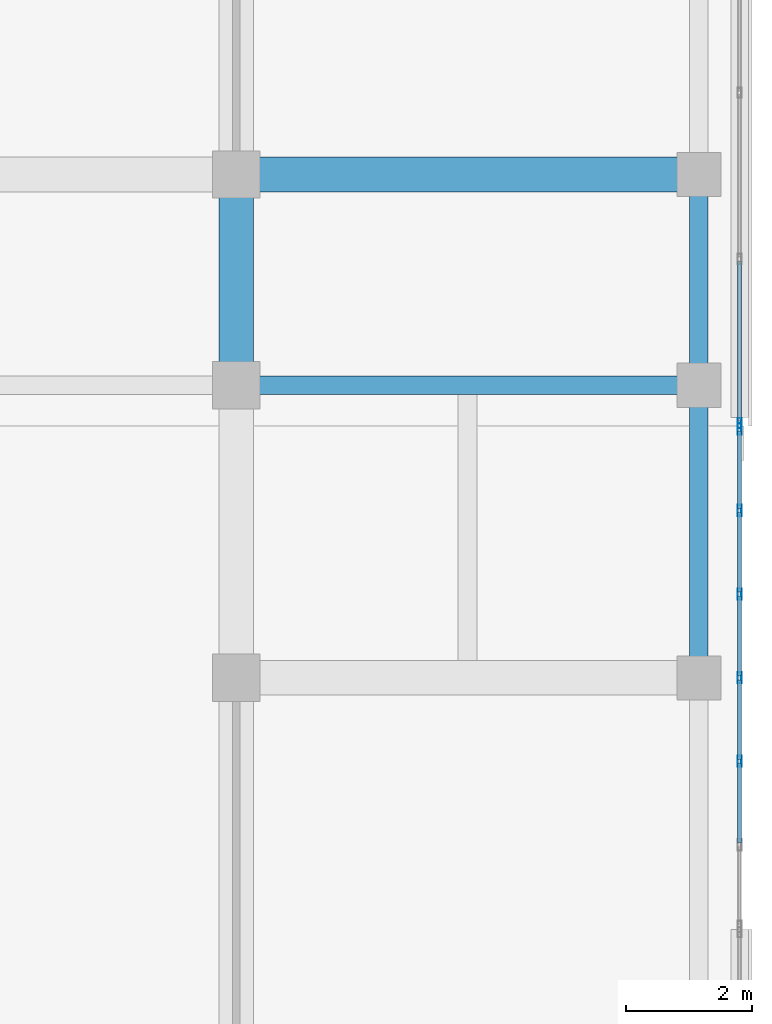
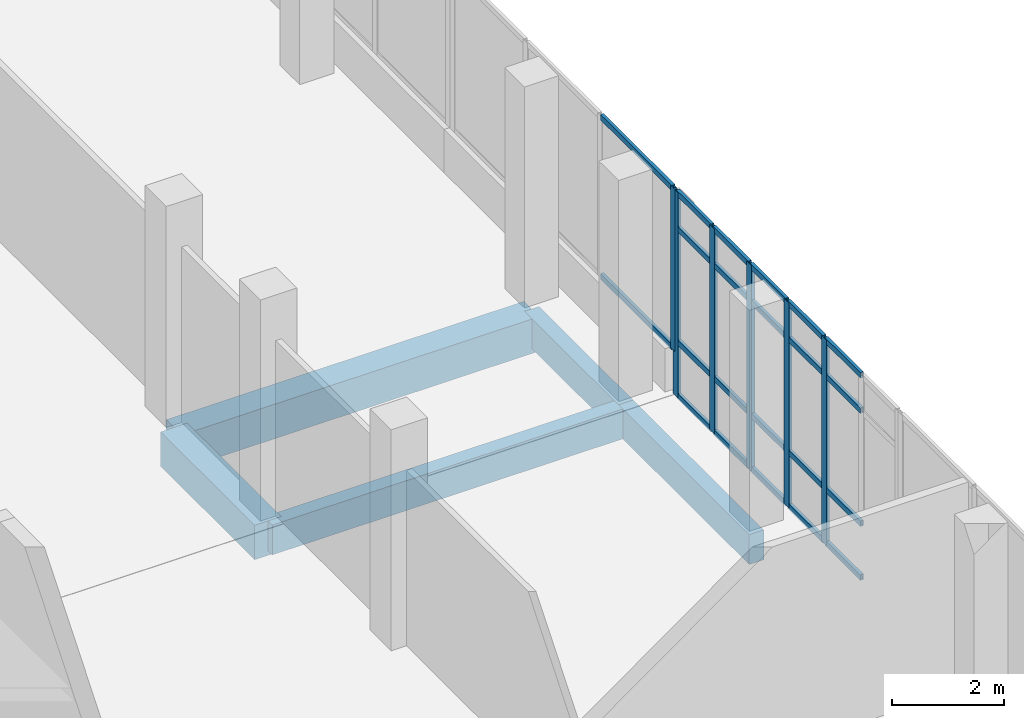
# One storey, part 104 of 155: 28 members, 5 beams, 2 elements without a shape of their own.
"""IFC4 building model written with IfcOpenShell, lengths in metres."""

from ifc_helpers import new_model, si_unit, direction, frame, origin, origin_2d, place, context, subcontext, project, spatial, rectangle, hollow_rectangle, extrude, material, material_profile, profile_set, type_object, element, aggregate, save


model = new_model("IFC4")

# Units and contexts
model_context = context("Model", 3, precision=1e-05, world=origin(), true_north=direction((0.0, 1.0)))
body_context = subcontext(model_context, "Body", "Model", "MODEL_VIEW")
ifc_project = project(units=[si_unit("LENGTHUNIT", "METRE"), si_unit("AREAUNIT", "SQUARE_METRE"), si_unit("VOLUMEUNIT", "CUBIC_METRE"), si_unit("PLANEANGLEUNIT", "RADIAN"), si_unit("MASSUNIT", "GRAM", prefix="KILO")], contexts=[model_context])

# Site, building, storey
site_placement = place(None, origin())
site = spatial("IfcSite", under=ifc_project, at=site_placement, CompositionType="ELEMENT")
building_placement = place(site_placement, origin())
building = spatial("IfcBuilding", under=site, at=building_placement, Name="Selatvlak General Hospital", CompositionType="ELEMENT")
storey_placement = place(building_placement, frame((0.0, 0.0, 10.199951171875)))
storey = spatial("IfcBuildingStorey", under=building, at=storey_placement, Name="L02", CompositionType="ELEMENT", Elevation=10.199951171875)

# Beams
ifc_material_1 = material(Name="Concrete C40/50", Category="concrete")
ifc_material_profile_1 = material_profile(ifc_material_1, rectangle(XDim=0.550048828125, YDim=0.75, at=origin_2d()), Name="RC-BM 550x750")
ifc_profile_set_1 = profile_set([ifc_material_profile_1], Name="Concrete C40/50")
beam_type_1 = type_object("IfcBeamType", Name="BM-G02", PredefinedType="BEAM", material=ifc_profile_set_1)
beam_1_placement = place(storey_placement, frame((174.0, 92.0, -0.72998046875), z_axis=(1.0, 0.0, 0.0), x_axis=(0.0, 1.0, 0.0)))
element("IfcBeam", 1, at=beam_1_placement, inside=storey, type_object=beam_type_1, Name="Beam BMR-L02-0855", PredefinedType="BEAM", context=body_context, shape_type="SweptSolid", body=[
    extrude(rectangle(XDim=0.550048828125, YDim=0.75, at=origin_2d()), origin(), (0.0, 0.0, 1.0), 7.35009765625),
])
beam_2_placement = place(storey_placement, frame((174.0, 88.64990234375, -0.72998046875), z_axis=(0.0, 1.0, 0.0), x_axis=(-1.0, 0.0, 0.0)))
element("IfcBeam", 2, at=beam_2_placement, inside=storey, type_object=beam_type_1, Name="Beam BMR-L02-1066", PredefinedType="BEAM", context=body_context, shape_type="SweptSolid", body=[
    extrude(rectangle(XDim=0.550048828125, YDim=0.75, at=origin_2d()), origin(), (0.0, 0.0, 1.0), 3.35009765625),
])
ifc_material_profile_2 = material_profile(ifc_material_1, rectangle(XDim=0.300048828125, YDim=0.64990234375, at=origin_2d()), Name="RC-SP 300x650")
ifc_profile_set_2 = profile_set([ifc_material_profile_2], Name="Concrete C40/50")
beam_type_2 = type_object("IfcBeamType", Name="BM-SP1", PredefinedType="SPANDREL", material=ifc_profile_set_2)
beam_3_placement = place(storey_placement, frame((174.0, 88.64990234375, -0.679931640625), z_axis=(1.0, 0.0, 0.0), x_axis=(0.0, 1.0, 0.0)))
element("IfcBeam", 3, at=beam_3_placement, inside=storey, type_object=beam_type_2, Name="Beam BMR-L02-0834", PredefinedType="SPANDREL", context=body_context, shape_type="SweptSolid", body=[
    extrude(rectangle(XDim=0.300048828125, YDim=0.64990234375, at=origin_2d()), origin(), (0.0, 0.0, 1.0), 7.35009765625),
])
beam_4_placement = place(storey_placement, frame((181.35009765625, 84.0, -0.679931640625), z_axis=(0.0, 1.0, 0.0), x_axis=(-1.0, 0.0, 0.0)))
element("IfcBeam", 4, at=beam_4_placement, inside=storey, type_object=beam_type_2, Name="Beam BMR-L02-1075", PredefinedType="SPANDREL", context=body_context, shape_type="SweptSolid", body=[
    extrude(rectangle(XDim=0.300048828125, YDim=0.64990234375, at=origin_2d()), origin(), (0.0, 0.0, 1.0), 4.64990234375),
])
beam_5_placement = place(storey_placement, frame((181.35009765625, 88.64990234375, -0.679931640625), z_axis=(0.0, 1.0, 0.0), x_axis=(-1.0, 0.0, 0.0)))
element("IfcBeam", 5, at=beam_5_placement, inside=storey, type_object=beam_type_2, Name="Beam BMR-L02-1076", PredefinedType="SPANDREL", context=body_context, shape_type="SweptSolid", body=[
    extrude(rectangle(XDim=0.300048828125, YDim=0.64990234375, at=origin_2d()), origin(), (0.0, 0.0, 1.0), 3.35009765625),
])

# Curtain wall, member
ifc_material_2 = material(Name="Solar-control Low-E double glazing", Category="glass")
curtain_wall_type_1 = type_object("IfcCurtainWallType", Name="CW-CW-01", PredefinedType="USERDEFINED", material=ifc_material_2)
curtain_wall_1_placement = place(storey_placement, origin())
curtain_wall_1 = element("IfcCurtainWall", 6, at=curtain_wall_1_placement, inside=storey, type_object=curtain_wall_type_1, Name="Glazed facade curtain wall CW-L02-0266", ObjectType="UNITISED CURTAIN WALL", PredefinedType="USERDEFINED")
ifc_material_3 = material(Name="Dark anodised aluminium mullion", Category="aluminium")
ifc_material_profile_3 = material_profile(ifc_material_3, hollow_rectangle(XDim=0.06494140625, YDim=0.159912109375, WallThickness=0.00390625, at=origin_2d()), Name="AL-MUL 65x160x4")
ifc_profile_set_3 = profile_set([ifc_material_profile_3], Name="Dark anodised aluminium mullion")
member_type_1 = type_object("IfcMemberType", Name="CWM-01", PredefinedType="MULLION", material=ifc_profile_set_3)
member_1_placement = place(storey_placement, frame((182.0, 88.048583984375, 0.93994140625), z_axis=(0.0, 0.0, 1.0), x_axis=(1.0, 0.0, 0.0)))
member_1 = element("IfcMember", 7, at=member_1_placement, type_object=member_type_1, Name="CW-01 mullion 4", PredefinedType="MULLION", context=body_context, shape_type="SweptSolid", body=[
    extrude(hollow_rectangle(XDim=0.06494140625, YDim=0.159912109375, WallThickness=0.00390625, at=origin_2d()), origin(), (0.0, 0.0, 1.0), 3.52001953125),
])

# Curtain wall, members
curtain_wall_type_2 = type_object("IfcCurtainWallType", Name="CW-CW-04", PredefinedType="USERDEFINED", material=ifc_material_2)
curtain_wall_2_placement = place(storey_placement, origin())
curtain_wall_2 = element("IfcCurtainWall", 8, at=curtain_wall_2_placement, inside=storey, type_object=curtain_wall_type_2, Name="Glazed facade curtain wall CW-L02-0267", ObjectType="STICK GLAZING WALL", PredefinedType="USERDEFINED")
ifc_material_profile_4 = material_profile(ifc_material_3, hollow_rectangle(XDim=0.06494140625, YDim=0.179931640625, WallThickness=0.00439453125, at=origin_2d()), Name="AL-MUL 65x180x4.5")
ifc_profile_set_4 = profile_set([ifc_material_profile_4], Name="Dark anodised aluminium mullion")
member_type_2 = type_object("IfcMemberType", Name="CWM-02", PredefinedType="MULLION", material=ifc_profile_set_4)
member_2_placement = place(storey_placement, frame((182.0, 87.95361328125, 0.0), z_axis=(0.0, 0.0, 1.0), x_axis=(1.0, 0.0, 0.0)))
member_2 = element("IfcMember", 9, at=member_2_placement, type_object=member_type_2, Name="CW-04 mullion 1", PredefinedType="MULLION", context=body_context, shape_type="SweptSolid", body=[
    extrude(hollow_rectangle(XDim=0.06494140625, YDim=0.179931640625, WallThickness=0.00439453125, at=origin_2d()), origin(), (0.0, 0.0, 1.0), 4.4599609375),
])
member_3_placement = place(storey_placement, frame((182.0, 86.65771484375, 0.0), z_axis=(0.0, 0.0, 1.0), x_axis=(1.0, 0.0, 0.0)))
member_3 = element("IfcMember", 10, at=member_3_placement, type_object=member_type_2, Name="CW-04 mullion 2", PredefinedType="MULLION", context=body_context, shape_type="SweptSolid", body=[
    extrude(hollow_rectangle(XDim=0.06494140625, YDim=0.179931640625, WallThickness=0.00439453125, at=origin_2d()), origin(), (0.0, 0.0, 1.0), 4.4599609375),
])
member_4_placement = place(storey_placement, frame((182.0, 85.329345703125, 0.0), z_axis=(0.0, 0.0, 1.0), x_axis=(1.0, 0.0, 0.0)))
member_4 = element("IfcMember", 11, at=member_4_placement, type_object=member_type_2, Name="CW-04 mullion 3", PredefinedType="MULLION", context=body_context, shape_type="SweptSolid", body=[
    extrude(hollow_rectangle(XDim=0.06494140625, YDim=0.179931640625, WallThickness=0.00439453125, at=origin_2d()), origin(), (0.0, 0.0, 1.0), 4.4599609375),
])
member_5_placement = place(storey_placement, frame((182.0, 84.0009765625, 0.0), z_axis=(0.0, 0.0, 1.0), x_axis=(1.0, 0.0, 0.0)))
member_5 = element("IfcMember", 12, at=member_5_placement, type_object=member_type_2, Name="CW-04 mullion 4", PredefinedType="MULLION", context=body_context, shape_type="SweptSolid", body=[
    extrude(hollow_rectangle(XDim=0.06494140625, YDim=0.179931640625, WallThickness=0.00439453125, at=origin_2d()), origin(), (0.0, 0.0, 1.0), 4.4599609375),
])
member_6_placement = place(storey_placement, frame((182.0, 82.672607421875, 0.0), z_axis=(0.0, 0.0, 1.0), x_axis=(1.0, 0.0, 0.0)))
member_6 = element("IfcMember", 13, at=member_6_placement, type_object=member_type_2, Name="CW-04 mullion 5", PredefinedType="MULLION", context=body_context, shape_type="SweptSolid", body=[
    extrude(hollow_rectangle(XDim=0.06494140625, YDim=0.179931640625, WallThickness=0.00439453125, at=origin_2d()), origin(), (0.0, 0.0, 1.0), 4.4599609375),
])

# Member
ifc_material_profile_5 = material_profile(ifc_material_3, hollow_rectangle(XDim=0.06494140625, YDim=0.1201171875, WallThickness=0.00390625, at=origin_2d()), Name="AL-TRN 65x120x4")
ifc_profile_set_5 = profile_set([ifc_material_profile_5], Name="Dark anodised aluminium mullion")
member_type_3 = type_object("IfcMemberType", Name="CWT-01", PredefinedType="USERDEFINED", material=ifc_profile_set_5)
member_7_placement = place(storey_placement, frame((182.0, 90.62353515625, 0.97265625), z_axis=(0.0, -1.0, 0.0), x_axis=(1.0, 0.0, 0.0)))
member_7 = element("IfcMember", 14, at=member_7_placement, type_object=member_type_3, Name="CW-01 transom 3.1", ObjectType="TRANSOM", PredefinedType="USERDEFINED", context=body_context, shape_type="SweptSolid", body=[
    extrude(hollow_rectangle(XDim=0.06494140625, YDim=0.1201171875, WallThickness=0.00390625, at=origin_2d()), origin(), (0.0, 0.0, 1.0), 2.54248046875),
])

member_8_placement = place(storey_placement, frame((182.0, 90.62353515625, 4.427490234375), z_axis=(0.0, -1.0, 0.0), x_axis=(1.0, 0.0, 0.0)))
member_8 = element("IfcMember", 15, at=member_8_placement, type_object=member_type_3, Name="CW-01 transom 3.2", ObjectType="TRANSOM", PredefinedType="USERDEFINED", context=body_context, shape_type="SweptSolid", body=[
    extrude(hollow_rectangle(XDim=0.06494140625, YDim=0.1201171875, WallThickness=0.00390625, at=origin_2d()), origin(), (0.0, 0.0, 1.0), 2.54248046875),
])

aggregate(curtain_wall_1, [member_1, member_7, member_8])

member_9_placement = place(storey_placement, frame((182.0, 87.9208984375, 0.032470703125), z_axis=(0.0, -1.0, 0.0), x_axis=(1.0, 0.0, 0.0)))
member_9 = element("IfcMember", 16, at=member_9_placement, type_object=member_type_3, Name="CW-04 transom 1.1", ObjectType="TRANSOM", PredefinedType="USERDEFINED", context=body_context, shape_type="SweptSolid", body=[
    extrude(hollow_rectangle(XDim=0.06494140625, YDim=0.1201171875, WallThickness=0.00390625, at=origin_2d()), origin(), (0.0, 0.0, 1.0), 1.230712890625),
])

member_10_placement = place(storey_placement, frame((182.0, 87.9208984375, 1.199951171875), z_axis=(0.0, -1.0, 0.0), x_axis=(1.0, 0.0, 0.0)))
member_10 = element("IfcMember", 17, at=member_10_placement, type_object=member_type_3, Name="CW-04 transom 1.2", ObjectType="TRANSOM", PredefinedType="USERDEFINED", context=body_context, shape_type="SweptSolid", body=[
    extrude(hollow_rectangle(XDim=0.06494140625, YDim=0.1201171875, WallThickness=0.00390625, at=origin_2d()), origin(), (0.0, 0.0, 1.0), 1.230712890625),
])

member_11_placement = place(storey_placement, frame((182.0, 87.9208984375, 3.66015625), z_axis=(0.0, -1.0, 0.0), x_axis=(1.0, 0.0, 0.0)))
member_11 = element("IfcMember", 18, at=member_11_placement, type_object=member_type_3, Name="CW-04 transom 1.3", ObjectType="TRANSOM", PredefinedType="USERDEFINED", context=body_context, shape_type="SweptSolid", body=[
    extrude(hollow_rectangle(XDim=0.06494140625, YDim=0.1201171875, WallThickness=0.00390625, at=origin_2d()), origin(), (0.0, 0.0, 1.0), 1.230712890625),
])

member_12_placement = place(storey_placement, frame((182.0, 87.9208984375, 4.427490234375), z_axis=(0.0, -1.0, 0.0), x_axis=(1.0, 0.0, 0.0)))
member_12 = element("IfcMember", 19, at=member_12_placement, type_object=member_type_3, Name="CW-04 transom 1.4", ObjectType="TRANSOM", PredefinedType="USERDEFINED", context=body_context, shape_type="SweptSolid", body=[
    extrude(hollow_rectangle(XDim=0.06494140625, YDim=0.1201171875, WallThickness=0.00390625, at=origin_2d()), origin(), (0.0, 0.0, 1.0), 1.230712890625),
])

member_13_placement = place(storey_placement, frame((182.0, 86.625244140625, 0.032470703125), z_axis=(0.0, -1.0, 0.0), x_axis=(1.0, 0.0, 0.0)))
member_13 = element("IfcMember", 20, at=member_13_placement, type_object=member_type_3, Name="CW-04 transom 2.1", ObjectType="TRANSOM", PredefinedType="USERDEFINED", context=body_context, shape_type="SweptSolid", body=[
    extrude(hollow_rectangle(XDim=0.06494140625, YDim=0.1201171875, WallThickness=0.00390625, at=origin_2d()), origin(), (0.0, 0.0, 1.0), 1.263427734375),
])

member_14_placement = place(storey_placement, frame((182.0, 86.625244140625, 1.199951171875), z_axis=(0.0, -1.0, 0.0), x_axis=(1.0, 0.0, 0.0)))
member_14 = element("IfcMember", 21, at=member_14_placement, type_object=member_type_3, Name="CW-04 transom 2.2", ObjectType="TRANSOM", PredefinedType="USERDEFINED", context=body_context, shape_type="SweptSolid", body=[
    extrude(hollow_rectangle(XDim=0.06494140625, YDim=0.1201171875, WallThickness=0.00390625, at=origin_2d()), origin(), (0.0, 0.0, 1.0), 1.263427734375),
])

member_15_placement = place(storey_placement, frame((182.0, 86.625244140625, 3.66015625), z_axis=(0.0, -1.0, 0.0), x_axis=(1.0, 0.0, 0.0)))
member_15 = element("IfcMember", 22, at=member_15_placement, type_object=member_type_3, Name="CW-04 transom 2.3", ObjectType="TRANSOM", PredefinedType="USERDEFINED", context=body_context, shape_type="SweptSolid", body=[
    extrude(hollow_rectangle(XDim=0.06494140625, YDim=0.1201171875, WallThickness=0.00390625, at=origin_2d()), origin(), (0.0, 0.0, 1.0), 1.263427734375),
])

member_16_placement = place(storey_placement, frame((182.0, 86.625244140625, 4.427490234375), z_axis=(0.0, -1.0, 0.0), x_axis=(1.0, 0.0, 0.0)))
member_16 = element("IfcMember", 23, at=member_16_placement, type_object=member_type_3, Name="CW-04 transom 2.4", ObjectType="TRANSOM", PredefinedType="USERDEFINED", context=body_context, shape_type="SweptSolid", body=[
    extrude(hollow_rectangle(XDim=0.06494140625, YDim=0.1201171875, WallThickness=0.00390625, at=origin_2d()), origin(), (0.0, 0.0, 1.0), 1.263427734375),
])

member_17_placement = place(storey_placement, frame((182.0, 85.296875, 0.032470703125), z_axis=(0.0, -1.0, 0.0), x_axis=(1.0, 0.0, 0.0)))
member_17 = element("IfcMember", 24, at=member_17_placement, type_object=member_type_3, Name="CW-04 transom 3.1", ObjectType="TRANSOM", PredefinedType="USERDEFINED", context=body_context, shape_type="SweptSolid", body=[
    extrude(hollow_rectangle(XDim=0.06494140625, YDim=0.1201171875, WallThickness=0.00390625, at=origin_2d()), origin(), (0.0, 0.0, 1.0), 1.263427734375),
])

member_18_placement = place(storey_placement, frame((182.0, 85.296875, 1.199951171875), z_axis=(0.0, -1.0, 0.0), x_axis=(1.0, 0.0, 0.0)))
member_18 = element("IfcMember", 25, at=member_18_placement, type_object=member_type_3, Name="CW-04 transom 3.2", ObjectType="TRANSOM", PredefinedType="USERDEFINED", context=body_context, shape_type="SweptSolid", body=[
    extrude(hollow_rectangle(XDim=0.06494140625, YDim=0.1201171875, WallThickness=0.00390625, at=origin_2d()), origin(), (0.0, 0.0, 1.0), 1.263427734375),
])

member_19_placement = place(storey_placement, frame((182.0, 85.296875, 3.66015625), z_axis=(0.0, -1.0, 0.0), x_axis=(1.0, 0.0, 0.0)))
member_19 = element("IfcMember", 26, at=member_19_placement, type_object=member_type_3, Name="CW-04 transom 3.3", ObjectType="TRANSOM", PredefinedType="USERDEFINED", context=body_context, shape_type="SweptSolid", body=[
    extrude(hollow_rectangle(XDim=0.06494140625, YDim=0.1201171875, WallThickness=0.00390625, at=origin_2d()), origin(), (0.0, 0.0, 1.0), 1.263427734375),
])

member_20_placement = place(storey_placement, frame((182.0, 85.296875, 4.427490234375), z_axis=(0.0, -1.0, 0.0), x_axis=(1.0, 0.0, 0.0)))
member_20 = element("IfcMember", 27, at=member_20_placement, type_object=member_type_3, Name="CW-04 transom 3.4", ObjectType="TRANSOM", PredefinedType="USERDEFINED", context=body_context, shape_type="SweptSolid", body=[
    extrude(hollow_rectangle(XDim=0.06494140625, YDim=0.1201171875, WallThickness=0.00390625, at=origin_2d()), origin(), (0.0, 0.0, 1.0), 1.263427734375),
])

member_21_placement = place(storey_placement, frame((182.0, 83.968505859375, 0.032470703125), z_axis=(0.0, -1.0, 0.0), x_axis=(1.0, 0.0, 0.0)))
member_21 = element("IfcMember", 28, at=member_21_placement, type_object=member_type_3, Name="CW-04 transom 4.1", ObjectType="TRANSOM", PredefinedType="USERDEFINED", context=body_context, shape_type="SweptSolid", body=[
    extrude(hollow_rectangle(XDim=0.06494140625, YDim=0.1201171875, WallThickness=0.00390625, at=origin_2d()), origin(), (0.0, 0.0, 1.0), 1.263427734375),
])

member_22_placement = place(storey_placement, frame((182.0, 83.968505859375, 1.199951171875), z_axis=(0.0, -1.0, 0.0), x_axis=(1.0, 0.0, 0.0)))
member_22 = element("IfcMember", 29, at=member_22_placement, type_object=member_type_3, Name="CW-04 transom 4.2", ObjectType="TRANSOM", PredefinedType="USERDEFINED", context=body_context, shape_type="SweptSolid", body=[
    extrude(hollow_rectangle(XDim=0.06494140625, YDim=0.1201171875, WallThickness=0.00390625, at=origin_2d()), origin(), (0.0, 0.0, 1.0), 1.263427734375),
])

member_23_placement = place(storey_placement, frame((182.0, 83.968505859375, 3.66015625), z_axis=(0.0, -1.0, 0.0), x_axis=(1.0, 0.0, 0.0)))
member_23 = element("IfcMember", 30, at=member_23_placement, type_object=member_type_3, Name="CW-04 transom 4.3", ObjectType="TRANSOM", PredefinedType="USERDEFINED", context=body_context, shape_type="SweptSolid", body=[
    extrude(hollow_rectangle(XDim=0.06494140625, YDim=0.1201171875, WallThickness=0.00390625, at=origin_2d()), origin(), (0.0, 0.0, 1.0), 1.263427734375),
])

member_24_placement = place(storey_placement, frame((182.0, 83.968505859375, 4.427490234375), z_axis=(0.0, -1.0, 0.0), x_axis=(1.0, 0.0, 0.0)))
member_24 = element("IfcMember", 31, at=member_24_placement, type_object=member_type_3, Name="CW-04 transom 4.4", ObjectType="TRANSOM", PredefinedType="USERDEFINED", context=body_context, shape_type="SweptSolid", body=[
    extrude(hollow_rectangle(XDim=0.06494140625, YDim=0.1201171875, WallThickness=0.00390625, at=origin_2d()), origin(), (0.0, 0.0, 1.0), 1.263427734375),
])

member_25_placement = place(storey_placement, frame((182.0, 82.64013671875, 0.032470703125), z_axis=(0.0, -1.0, 0.0), x_axis=(1.0, 0.0, 0.0)))
member_25 = element("IfcMember", 32, at=member_25_placement, type_object=member_type_3, Name="CW-04 transom 5.1", ObjectType="TRANSOM", PredefinedType="USERDEFINED", context=body_context, shape_type="SweptSolid", body=[
    extrude(hollow_rectangle(XDim=0.06494140625, YDim=0.1201171875, WallThickness=0.00390625, at=origin_2d()), origin(), (0.0, 0.0, 1.0), 1.26318359375),
])

member_26_placement = place(storey_placement, frame((182.0, 82.64013671875, 1.199951171875), z_axis=(0.0, -1.0, 0.0), x_axis=(1.0, 0.0, 0.0)))
member_26 = element("IfcMember", 33, at=member_26_placement, type_object=member_type_3, Name="CW-04 transom 5.2", ObjectType="TRANSOM", PredefinedType="USERDEFINED", context=body_context, shape_type="SweptSolid", body=[
    extrude(hollow_rectangle(XDim=0.06494140625, YDim=0.1201171875, WallThickness=0.00390625, at=origin_2d()), origin(), (0.0, 0.0, 1.0), 1.26318359375),
])

member_27_placement = place(storey_placement, frame((182.0, 82.64013671875, 3.66015625), z_axis=(0.0, -1.0, 0.0), x_axis=(1.0, 0.0, 0.0)))
member_27 = element("IfcMember", 34, at=member_27_placement, type_object=member_type_3, Name="CW-04 transom 5.3", ObjectType="TRANSOM", PredefinedType="USERDEFINED", context=body_context, shape_type="SweptSolid", body=[
    extrude(hollow_rectangle(XDim=0.06494140625, YDim=0.1201171875, WallThickness=0.00390625, at=origin_2d()), origin(), (0.0, 0.0, 1.0), 1.26318359375),
])

member_28_placement = place(storey_placement, frame((182.0, 82.64013671875, 4.427490234375), z_axis=(0.0, -1.0, 0.0), x_axis=(1.0, 0.0, 0.0)))
member_28 = element("IfcMember", 35, at=member_28_placement, type_object=member_type_3, Name="CW-04 transom 5.4", ObjectType="TRANSOM", PredefinedType="USERDEFINED", context=body_context, shape_type="SweptSolid", body=[
    extrude(hollow_rectangle(XDim=0.06494140625, YDim=0.1201171875, WallThickness=0.00390625, at=origin_2d()), origin(), (0.0, 0.0, 1.0), 1.26318359375),
])

aggregate(curtain_wall_2, [member_2, member_3, member_4, member_5, member_6, member_9, member_10, member_11, member_12, member_13, member_14, member_15, member_16, member_17, member_18, member_19, member_20, member_21, member_22, member_23, member_24, member_25, member_26, member_27, member_28])

save(model, "model.ifc")
